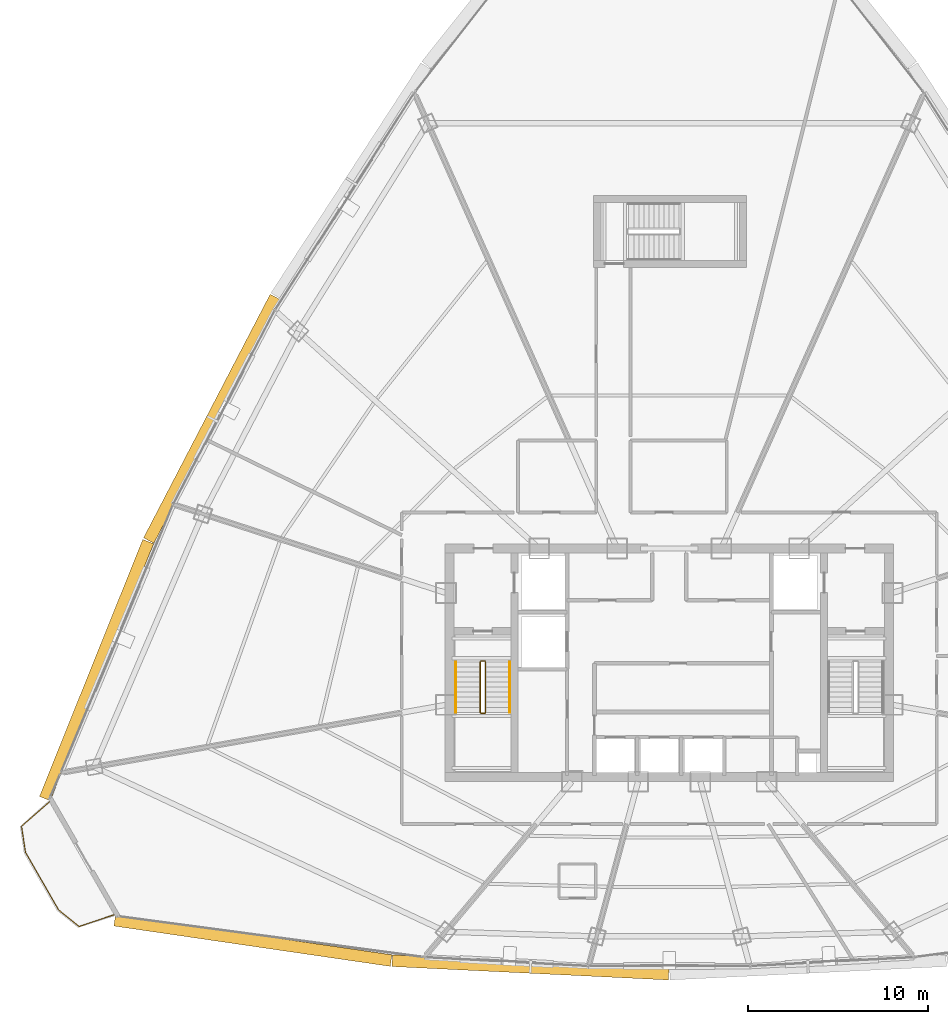
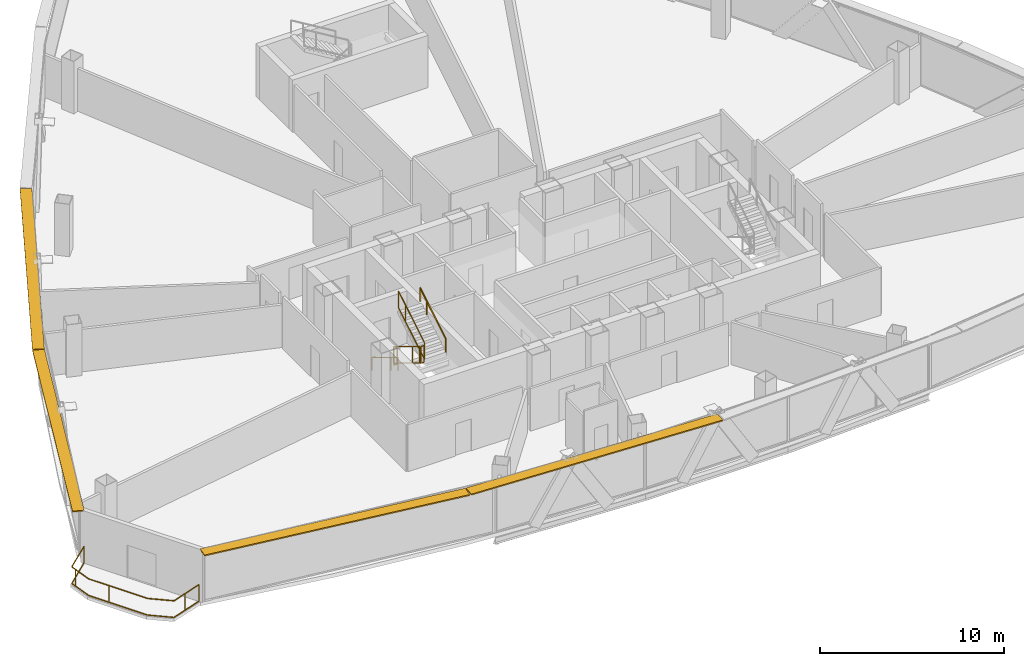
# One storey, part 34 of 37: 7 railings, 4 shading devices.
"""IFC4 building model written with IfcOpenShell, lengths in metres."""

from ifc_helpers import new_model, si_unit, direction, frame, origin, origin_2d, place, context, subcontext, project, spatial, rectangle, extrude, source, transform, mapped, material, layer, layer_set, type_object, element, save


model = new_model("IFC4")

# Units and contexts
model_context = context("Model", 3, precision=1e-05, world=origin(), true_north=direction((0.0, 1.0)))
body_context = subcontext(model_context, "Body", "Model", "MODEL_VIEW")
ifc_project = project(units=[si_unit("LENGTHUNIT", "METRE"), si_unit("AREAUNIT", "SQUARE_METRE"), si_unit("VOLUMEUNIT", "CUBIC_METRE"), si_unit("PLANEANGLEUNIT", "RADIAN"), si_unit("MASSUNIT", "GRAM", prefix="KILO"), si_unit("THERMODYNAMICTEMPERATUREUNIT", "KELVIN"), si_unit("POWERUNIT", "WATT")], contexts=[model_context])

# Site, building, storey
site_placement = place(None, origin())
site = spatial("IfcSite", under=ifc_project, at=site_placement, CompositionType="ELEMENT")
building_placement = place(site_placement, origin())
building = spatial("IfcBuilding", under=site, at=building_placement, Name="Yunzhuo Pagoda Commons", CompositionType="ELEMENT")
storey_placement = place(building_placement, frame((0.0, 0.0, 259.449951171875)))
storey = spatial("IfcBuildingStorey", under=building, at=storey_placement, Name="L65", CompositionType="ELEMENT", Elevation=259.449951171875)

# Railings
ifc_material = material(Name="Anodized aluminium 6063-T6", Category="aluminium")
railing_type_1 = type_object("IfcRailingType", Name="GR-ST1 Stair Well Guardrail 1150", PredefinedType="GUARDRAIL", material=ifc_material)
railing_1_placement = place(storey_placement, frame((37.5, 33.89990234375, 0.169677734375)))
element("IfcRailing", 1, at=railing_1_placement, inside=storey, type_object=railing_type_1, Name="L65 ST1 stair guard 1", PredefinedType="GUARDRAIL", context=body_context, shape_type="SweptSolid", body=[
    extrude(rectangle(XDim=0.048095703125, YDim=0.048095703125, at=origin_2d()), frame((0.0, 0.0, 1.1259765625), z_axis=(0.0, -0.855406155521, 0.517957825596), x_axis=(1.0, 0.0, 0.0)), (0.0, 0.0, 1.0), 3.27294921875),
    extrude(rectangle(XDim=0.048095703125, YDim=0.048095703125, at=origin_2d()), frame((0.0, 0.0, 0.02392578125), z_axis=(0.0, -0.855406155521, 0.517957825596), x_axis=(1.0, 0.0, 0.0)), (0.0, 0.0, 1.0), 3.27294921875),
    extrude(rectangle(XDim=0.0419921875, YDim=0.0419921875, at=origin_2d()), origin(), (0.0, 0.0, 1.0), 1.101806640625),
    extrude(rectangle(XDim=0.0419921875, YDim=0.0419921875, at=origin_2d()), frame((0.0, -2.052978515625, 1.2431640625)), (0.0, 0.0, 1.0), 1.101806640625),
    extrude(rectangle(XDim=0.0419921875, YDim=0.0419921875, at=origin_2d()), frame((0.0, -2.7998046875, 1.6953125)), (0.0, 0.0, 1.0), 1.101806640625),
])
railing_2_placement = place(storey_placement, frame((37.550048828125, 31.050048828125, 1.864990234375)))
element("IfcRailing", 2, at=railing_2_placement, inside=storey, type_object=railing_type_1, Name="L65 ST1 stair guard 2", PredefinedType="GUARDRAIL", context=body_context, shape_type="SweptSolid", body=[
    extrude(rectangle(XDim=0.048095703125, YDim=0.048095703125, at=origin_2d()), frame((0.0, 0.0, 1.1259765625), z_axis=(1.0, 0.0, 0.0), x_axis=(0.0, 1.0, 0.0)), (0.0, 0.0, 1.0), 0.199951171875),
    extrude(rectangle(XDim=0.048095703125, YDim=0.048095703125, at=origin_2d()), frame((0.0, 0.0, 0.02392578125), z_axis=(1.0, 0.0, 0.0), x_axis=(0.0, 1.0, 0.0)), (0.0, 0.0, 1.0), 0.199951171875),
    extrude(rectangle(XDim=0.0419921875, YDim=0.0419921875, at=origin_2d()), origin(), (0.0, 0.0, 1.0), 1.101806640625),
    extrude(rectangle(XDim=0.0419921875, YDim=0.0419921875, at=origin_2d()), frame((0.199951171875, 0.0, 0.0)), (0.0, 0.0, 1.0), 1.101806640625),
])
railing_3_placement = place(storey_placement, frame((37.800048828125, 31.10009765625, 2.03466796875)))
element("IfcRailing", 3, at=railing_3_placement, inside=storey, type_object=railing_type_1, Name="L65 ST1 stair guard 3", PredefinedType="GUARDRAIL", context=body_context, shape_type="SweptSolid", body=[
    extrude(rectangle(XDim=0.048095703125, YDim=0.048095703125, at=origin_2d()), frame((0.0, 0.0, 1.1259765625), z_axis=(0.0, 0.855406155521, 0.517957825596), x_axis=(-1.0, 0.0, 0.0)), (0.0, 0.0, 1.0), 3.27294921875),
    extrude(rectangle(XDim=0.048095703125, YDim=0.048095703125, at=origin_2d()), frame((0.0, 0.0, 0.02392578125), z_axis=(0.0, 0.855406155521, 0.517957825596), x_axis=(-1.0, 0.0, 0.0)), (0.0, 0.0, 1.0), 3.27294921875),
    extrude(rectangle(XDim=0.0419921875, YDim=0.0419921875, at=origin_2d()), origin(), (0.0, 0.0, 1.0), 1.101806640625),
    extrude(rectangle(XDim=0.0419921875, YDim=0.0419921875, at=origin_2d()), frame((0.0, 2.052978515625, 1.2431640625)), (0.0, 0.0, 1.0), 1.101806640625),
    extrude(rectangle(XDim=0.0419921875, YDim=0.0419921875, at=origin_2d()), frame((0.0, 2.7998046875, 1.6953125)), (0.0, 0.0, 1.0), 1.101806640625),
])
railing_4_placement = place(storey_placement, frame((37.550048828125, 33.949951171875, 0.0)))
element("IfcRailing", 4, at=railing_4_placement, inside=storey, type_object=railing_type_1, Name="L65 ST1 stair guard 4", PredefinedType="GUARDRAIL", context=body_context, shape_type="SweptSolid", body=[
    extrude(rectangle(XDim=0.048095703125, YDim=0.048095703125, at=origin_2d()), frame((0.0, 0.0, 1.1259765625), z_axis=(1.0, 0.0, 0.0), x_axis=(0.0, 1.0, 0.0)), (0.0, 0.0, 1.0), 0.199951171875),
    extrude(rectangle(XDim=0.048095703125, YDim=0.048095703125, at=origin_2d()), frame((0.0, 0.0, 0.02392578125), z_axis=(1.0, 0.0, 0.0), x_axis=(0.0, 1.0, 0.0)), (0.0, 0.0, 1.0), 0.199951171875),
    extrude(rectangle(XDim=0.0419921875, YDim=0.0419921875, at=origin_2d()), origin(), (0.0, 0.0, 1.0), 1.101806640625),
    extrude(rectangle(XDim=0.0419921875, YDim=0.0419921875, at=origin_2d()), frame((0.199951171875, 0.0, 0.0)), (0.0, 0.0, 1.0), 1.101806640625),
])
railing_type_2 = type_object("IfcRailingType", Name="HR-ST1 Stair Handrail 900", PredefinedType="HANDRAIL", material=ifc_material)
railing_5_placement = place(storey_placement, frame((36.14990234375, 33.89990234375, 0.169677734375)))
element("IfcRailing", 5, at=railing_5_placement, inside=storey, type_object=railing_type_2, Name="L65 ST1 stair handrail 1", PredefinedType="HANDRAIL", context=body_context, shape_type="SweptSolid", body=[
    extrude(rectangle(XDim=0.048095703125, YDim=0.048095703125, at=origin_2d()), frame((0.0, 0.0, 0.8759765625), z_axis=(0.0, -0.855406155521, 0.517957825596), x_axis=(1.0, 0.0, 0.0)), (0.0, 0.0, 1.0), 3.27294921875),
    extrude(rectangle(XDim=0.0419921875, YDim=0.0419921875, at=origin_2d()), origin(), (0.0, 0.0, 1.0), 0.851806640625),
    extrude(rectangle(XDim=0.0419921875, YDim=0.0419921875, at=origin_2d()), frame((0.0, -2.052978515625, 1.2431640625)), (0.0, 0.0, 1.0), 0.851806640625),
    extrude(rectangle(XDim=0.0419921875, YDim=0.0419921875, at=origin_2d()), frame((0.0, -2.7998046875, 1.6953125)), (0.0, 0.0, 1.0), 0.851806640625),
])
railing_6_placement = place(storey_placement, frame((39.14990234375, 31.10009765625, 2.03466796875)))
element("IfcRailing", 6, at=railing_6_placement, inside=storey, type_object=railing_type_2, Name="L65 ST1 stair handrail 2", PredefinedType="HANDRAIL", context=body_context, shape_type="SweptSolid", body=[
    extrude(rectangle(XDim=0.048095703125, YDim=0.048095703125, at=origin_2d()), frame((0.0, 0.0, 0.8759765625), z_axis=(0.0, 0.855406155521, 0.517957825596), x_axis=(-1.0, 0.0, 0.0)), (0.0, 0.0, 1.0), 3.27294921875),
    extrude(rectangle(XDim=0.0419921875, YDim=0.0419921875, at=origin_2d()), origin(), (0.0, 0.0, 1.0), 0.851806640625),
    extrude(rectangle(XDim=0.0419921875, YDim=0.0419921875, at=origin_2d()), frame((0.0, 2.052978515625, 1.2431640625)), (0.0, 0.0, 1.0), 0.851806640625),
    extrude(rectangle(XDim=0.0419921875, YDim=0.0419921875, at=origin_2d()), frame((0.0, 2.7998046875, 1.6953125)), (0.0, 0.0, 1.0), 0.851806640625),
])
railing_type_3 = type_object("IfcRailingType", Name="RL-BAL1 Exterior Terrace & Balcony Balustrade 1150", PredefinedType="BALUSTRADE", material=ifc_material)
railing_7_placement = place(storey_placement, frame((13.5830078125, 26.127685546875, 0.0)))
element("IfcRailing", 7, at=railing_7_placement, inside=storey, type_object=railing_type_3, Name="L65 corner balcony balustrade V1", PredefinedType="BALUSTRADE", context=body_context, shape_type="SweptSolid", body=[
    extrude(rectangle(XDim=0.048095703125, YDim=0.048095703125, at=origin_2d()), frame((0.0, 0.0, 1.1259765625), z_axis=(-0.753984993137, -0.656891642605, 0.0), x_axis=(0.656891642605, -0.753984993137, 0.0)), (0.0, 0.0, 1.0), 2.059326171875),
    extrude(rectangle(XDim=0.048095703125, YDim=0.048095703125, at=origin_2d()), frame((0.0, 0.0, 0.02392578125), z_axis=(-0.753984993137, -0.656891642605, 0.0), x_axis=(0.656891642605, -0.753984993137, 0.0)), (0.0, 0.0, 1.0), 2.059326171875),
    extrude(rectangle(XDim=0.048095703125, YDim=0.048095703125, at=origin_2d()), frame((-1.552734375, -1.352783203125, 1.1259765625), z_axis=(0.150466779766, -0.988615065729, 0.0), x_axis=(0.988615065729, 0.150466779766, 0.0)), (0.0, 0.0, 1.0), 1.465087890625),
    extrude(rectangle(XDim=0.048095703125, YDim=0.048095703125, at=origin_2d()), frame((-1.552734375, -1.352783203125, 0.02392578125), z_axis=(0.150466779766, -0.988615065729, 0.0), x_axis=(0.988615065729, 0.150466779766, 0.0)), (0.0, 0.0, 1.0), 1.465087890625),
    extrude(rectangle(XDim=0.048095703125, YDim=0.048095703125, at=origin_2d()), frame((-1.332275390625, -2.80126953125, 1.1259765625), z_axis=(0.497975284399, -0.867191222354, 0.0), x_axis=(0.867191222354, 0.497975284399, 0.0)), (0.0, 0.0, 1.0), 3.691650390625),
    extrude(rectangle(XDim=0.048095703125, YDim=0.048095703125, at=origin_2d()), frame((-1.332275390625, -2.80126953125, 0.02392578125), z_axis=(0.497975284399, -0.867191222354, 0.0), x_axis=(0.867191222354, 0.497975284399, 0.0)), (0.0, 0.0, 1.0), 3.691650390625),
    extrude(rectangle(XDim=0.048095703125, YDim=0.048095703125, at=origin_2d()), frame((0.506103515625, -6.002685546875, 1.1259765625), z_axis=(0.777884784349, -0.628406924117, 0.0), x_axis=(0.628406924117, 0.777884784349, 0.0)), (0.0, 0.0, 1.0), 1.465087890625),
    extrude(rectangle(XDim=0.048095703125, YDim=0.048095703125, at=origin_2d()), frame((0.506103515625, -6.002685546875, 0.02392578125), z_axis=(0.777884784349, -0.628406924117, 0.0), x_axis=(0.628406924117, 0.777884784349, 0.0)), (0.0, 0.0, 1.0), 1.465087890625),
    extrude(rectangle(XDim=0.048095703125, YDim=0.048095703125, at=origin_2d()), frame((1.645751953125, -6.92333984375, 1.1259765625), z_axis=(0.947419062147, 0.319995501031, 0.0), x_axis=(-0.319995501031, 0.947419062147, 0.0)), (0.0, 0.0, 1.0), 2.05908203125),
    extrude(rectangle(XDim=0.048095703125, YDim=0.048095703125, at=origin_2d()), frame((1.645751953125, -6.92333984375, 0.02392578125), z_axis=(0.947419062147, 0.319995501031, 0.0), x_axis=(-0.319995501031, 0.947419062147, 0.0)), (0.0, 0.0, 1.0), 2.05908203125),
    extrude(rectangle(XDim=0.0419921875, YDim=0.0419921875, at=origin_2d()), origin(), (0.0, 0.0, 1.0), 1.101806640625),
    extrude(rectangle(XDim=0.0419921875, YDim=0.0419921875, at=origin_2d()), frame((-1.50146484375, -1.689453125, 0.0)), (0.0, 0.0, 1.0), 1.101806640625),
    extrude(rectangle(XDim=0.0419921875, YDim=0.0419921875, at=origin_2d()), frame((-0.697021484375, -3.9072265625, 0.0)), (0.0, 0.0, 1.0), 1.101806640625),
    extrude(rectangle(XDim=0.0419921875, YDim=0.0419921875, at=origin_2d()), frame((2.51611328125, -6.62939453125, 0.0)), (0.0, 0.0, 1.0), 1.101806640625),
    extrude(rectangle(XDim=0.0419921875, YDim=0.0419921875, at=origin_2d()), frame((3.5966796875, -6.264404296875, 0.0)), (0.0, 0.0, 1.0), 1.101806640625),
])

# Shading devices
ifc_layer = layer(ifc_material, 0.080078125)
ifc_layer_set = layer_set([ifc_layer], Name="Anodized aluminium 6063-T6")
shading_device_type = type_object("IfcShadingDeviceType", Name="SH-SUN1 Pagoda Horizontal Sunshade Eave 650", PredefinedType="USERDEFINED", material=ifc_layer_set)
shared_shape_1 = source(origin(), body_context, "Body", "SweptSolid", [
    extrude(rectangle(XDim=15.513427734375, YDim=0.64990234375, at=origin_2d()), origin(), (0.0, 0.0, 1.0), 0.080078125),
])
shading_device_1_placement = place(storey_placement, frame((24.8798828125, 18.43310546875, 3.389892578125), z_axis=(0.0, 0.0, 1.0), x_axis=(0.989513187846, -0.144442552866, 0.0)))
element("IfcShadingDevice", 8, at=shading_device_1_placement, inside=storey, type_object=shading_device_type, Name="L65 horizontal pagoda sunshade eave F1.1", ObjectType="SUNSHADE", PredefinedType="USERDEFINED", context=body_context, shape_type="MappedRepresentation", body=[
    mapped(shared_shape_1, transform((0.0, 0.0, 0.0), scale=1.0)),
])
shared_shape_2 = source(origin(), body_context, "Body", "SweptSolid", [
    extrude(rectangle(XDim=15.368408203125, YDim=0.64990234375, at=origin_2d()), origin(), (0.0, 0.0, 1.0), 0.080078125),
])
shading_device_2_placement = place(storey_placement, frame((40.293212890625, 16.93310546875, 3.389892578125), z_axis=(0.0, 0.0, 1.0), x_axis=(0.998818043775, -0.04860571396, 0.0)))
element("IfcShadingDevice", 9, at=shading_device_2_placement, inside=storey, type_object=shading_device_type, Name="L65 horizontal pagoda sunshade eave F1.2", ObjectType="SUNSHADE", PredefinedType="USERDEFINED", context=body_context, shape_type="MappedRepresentation", body=[
    mapped(shared_shape_2, transform((0.0, 0.0, 0.0), scale=1.0)),
])
shared_shape_3 = source(origin(), body_context, "Body", "SweptSolid", [
    extrude(rectangle(XDim=15.388671875, YDim=0.64990234375, at=origin_2d()), origin(), (0.0, 0.0, 1.0), 0.080078125),
])
shading_device_3_placement = place(storey_placement, frame((16.19775390625, 33.444091796875, 3.389892578125), z_axis=(0.0, 0.0, 1.0), x_axis=(-0.372987782576, -0.927836253899, 0.0)))
element("IfcShadingDevice", 10, at=shading_device_3_placement, inside=storey, type_object=shading_device_type, Name="L65 horizontal pagoda sunshade eave F3.4", ObjectType="SUNSHADE", PredefinedType="USERDEFINED", context=body_context, shape_type="MappedRepresentation", body=[
    mapped(shared_shape_3, transform((0.0, 0.0, 0.0), scale=1.0)),
])
shared_shape_4 = source(origin(), body_context, "Body", "SweptSolid", [
    extrude(rectangle(XDim=15.242431640625, YDim=0.64990234375, at=origin_2d()), origin(), (0.0, 0.0, 1.0), 0.080078125),
])
shading_device_4_placement = place(storey_placement, frame((22.609130859375, 47.40283203125, 3.389892578125), z_axis=(0.0, 0.0, 1.0), x_axis=(-0.461206683033, -0.88729273384, 0.0)))
element("IfcShadingDevice", 11, at=shading_device_4_placement, inside=storey, type_object=shading_device_type, Name="L65 horizontal pagoda sunshade eave F3.3", ObjectType="SUNSHADE", PredefinedType="USERDEFINED", context=body_context, shape_type="MappedRepresentation", body=[
    mapped(shared_shape_4, transform((0.0, 0.0, 0.0), scale=1.0)),
])

save(model, "model.ifc")
